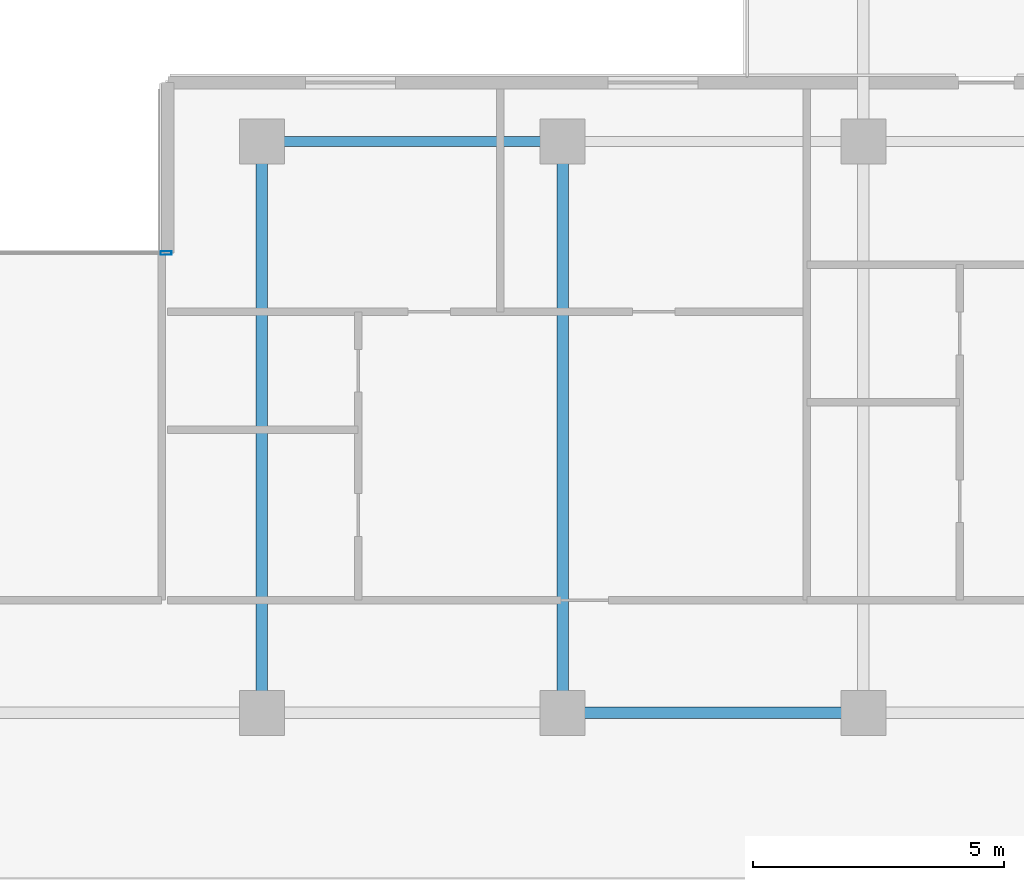
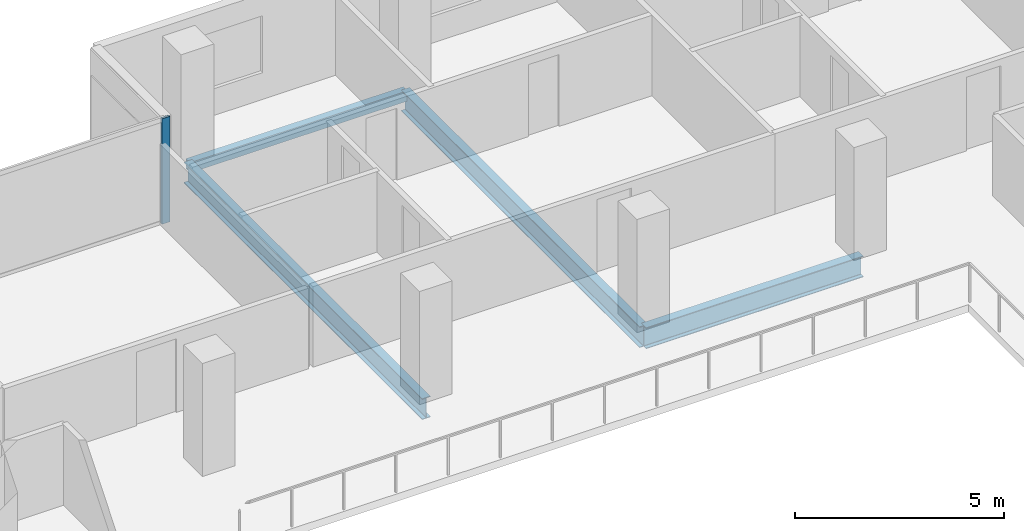
# One storey, part 11 of 29: 4 beams, 1 member, 1 element without a shape of its own.
"""IFC4 building model written with IfcOpenShell, lengths in metres."""

from ifc_helpers import new_model, si_unit, direction, frame, origin, origin_2d, place, context, subcontext, project, spatial, hollow_rectangle, i_section, extrude, material, layer, layer_set, material_profile, profile_set, type_object, element, aggregate, save


model = new_model("IFC4")

# Units and contexts
model_context = context("Model", 3, precision=1e-05, world=origin(), true_north=direction((0.0, 1.0)))
body_context = subcontext(model_context, "Body", "Model", "MODEL_VIEW")
ifc_project = project(units=[si_unit("LENGTHUNIT", "METRE"), si_unit("AREAUNIT", "SQUARE_METRE"), si_unit("VOLUMEUNIT", "CUBIC_METRE"), si_unit("PLANEANGLEUNIT", "RADIAN"), si_unit("MASSUNIT", "GRAM", prefix="KILO")], contexts=[model_context])

# Site, building, storey
site_placement = place(None, origin())
site = spatial("IfcSite", under=ifc_project, at=site_placement, CompositionType="ELEMENT")
building_placement = place(site_placement, origin())
building = spatial("IfcBuilding", under=site, at=building_placement, Name="Tanjung Sevakor Pilgrim Tower", CompositionType="ELEMENT")
storey_placement = place(building_placement, frame((0.0, 0.0, 148.5)))
storey = spatial("IfcBuildingStorey", under=building, at=storey_placement, Name="L41", CompositionType="ELEMENT", Elevation=148.5)

# Beams
ifc_material_1 = material(Name="Steel S355J2", Category="steel")
ifc_material_profile_1 = material_profile(ifc_material_1, i_section(OverallWidth=0.230224609375, OverallDepth=0.6171875, WebThickness=0.01318359375, FlangeThickness=0.022216796875, FilletRadius=0.0126953125, at=origin_2d()))
ifc_profile_set_1 = profile_set([ifc_material_profile_1], Name="Steel S355J2")
beam_type_1 = type_object("IfcBeamType", Name="BM-B-G3-UB_610x229x140", PredefinedType="BEAM", material=ifc_profile_set_1)
beam_1_placement = place(storey_placement, frame((60.0, 42.60009765625, -0.528564453125), z_axis=(1.0, 0.0, 0.0), x_axis=(0.0, 1.0, 0.0)))
element("IfcBeam", 1, at=beam_1_placement, inside=storey, type_object=beam_type_1, Name="L41 Primary Floor Girder MAIN Y426-05", PredefinedType="BEAM", context=body_context, shape_type="SweptSolid", body=[
    extrude(i_section(OverallWidth=0.230224609375, OverallDepth=0.6171875, WebThickness=0.01318359375, FlangeThickness=0.022216796875, FilletRadius=0.0126953125, at=origin_2d()), origin(), (0.0, 0.0, 1.0), 6.0),
])
ifc_material_2 = material(Name="Steel S355J2", Category="steel")
ifc_material_profile_2 = material_profile(ifc_material_2, i_section(OverallWidth=0.22900390625, OverallDepth=0.6123046875, WebThickness=0.011962890625, FlangeThickness=0.01953125, FilletRadius=0.0126953125, at=origin_2d()))
ifc_profile_set_2 = profile_set([ifc_material_profile_2], Name="Steel S355J2")
beam_type_2 = type_object("IfcBeamType", Name="BM-B-G4-UB_610x229x125", PredefinedType="BEAM", material=ifc_profile_set_2)
for number, where, z_axis, x_axis, name in (
    (2, (54.0, 42.60009765625, -0.526123046875), (0.0, 1.0, 0.0), (-1.0, 0.0, 0.0), "L41 MAIN Girder 007"),
    (3, (60.0, 42.60009765625, -0.526123046875), (0.0, 1.0, 0.0), (-1.0, 0.0, 0.0), "L41 MAIN Girder 009"),
):
    element("IfcBeam", number, at=place(storey_placement, frame(where, z_axis=z_axis, x_axis=x_axis)), inside=storey, type_object=beam_type_2, Name=name, PredefinedType="BEAM", context=body_context, shape_type="SweptSolid", body=[
        extrude(i_section(OverallWidth=0.22900390625, OverallDepth=0.6123046875, WebThickness=0.011962890625, FlangeThickness=0.01953125, FilletRadius=0.0126953125, at=origin_2d()), origin(), (0.0, 0.0, 1.0), 11.39990234375),
    ])
ifc_material_3 = material(Name="Steel S355J2", Category="steel")
ifc_material_profile_3 = material_profile(ifc_material_3, hollow_rectangle(XDim=0.199951171875, YDim=0.300048828125, WallThickness=0.012451171875, at=origin_2d()))
ifc_profile_set_3 = profile_set([ifc_material_profile_3], Name="Steel S355J2")
beam_type_3 = type_object("IfcBeamType", Name="BM-B-SP3-RHS_300x200x12.5", PredefinedType="SPANDREL", material=ifc_profile_set_3)
beam_2_placement = place(storey_placement, frame((54.0, 54.0, -0.3701171875), z_axis=(1.0, 0.0, 0.0), x_axis=(0.0, 1.0, 0.0)))
element("IfcBeam", 4, at=beam_2_placement, inside=storey, type_object=beam_type_3, Name="L41 Spandrel MAIN N-08", PredefinedType="SPANDREL", context=body_context, shape_type="SweptSolid", body=[
    extrude(hollow_rectangle(XDim=0.199951171875, YDim=0.300048828125, WallThickness=0.012451171875, at=origin_2d()), origin(), (0.0, 0.0, 1.0), 6.0),
])

# Curtain wall, member
ifc_material_4 = material(Name="Aluminium 6063-T6 and Low-E Glass", Category="aluminium")
ifc_layer = layer(ifc_material_4, 0.179931640625)
ifc_layer_set = layer_set([ifc_layer], Name="CW-SYS-CLEFT")
curtain_wall_type = type_object("IfcCurtainWallType", Name="CW-SYS-CLEFT", PredefinedType="NOTDEFINED", material=ifc_layer_set)
curtain_wall_placement = place(storey_placement, origin())
curtain_wall = element("IfcCurtainWall", 5, at=curtain_wall_placement, inside=storey, type_object=curtain_wall_type, Name="L41 Curtain Wall CW-CLF-L41-10", PredefinedType="NOTDEFINED")
ifc_material_5 = material(Name="Aluminium 6063-T6", Category="aluminium")
ifc_material_profile_4 = material_profile(ifc_material_5, hollow_rectangle(XDim=0.074951171875, YDim=0.219970703125, WallThickness=0.0048828125, at=origin_2d()))
ifc_profile_set_4 = profile_set([ifc_material_profile_4], Name="Aluminium 6063-T6")
member_type = type_object("IfcMemberType", Name="TYPE-CWM-2", PredefinedType="MULLION", material=ifc_profile_set_4)
member_placement = place(storey_placement, frame((52.08740234375, 51.77490234375, 0.0), z_axis=(0.0, 0.0, 1.0), x_axis=(0.0, -1.0, 0.0)))
member = element("IfcMember", 6, at=member_placement, type_object=member_type, Name="CW-CLF mullion 1", PredefinedType="MULLION", context=body_context, shape_type="SweptSolid", body=[
    extrude(hollow_rectangle(XDim=0.074951171875, YDim=0.219970703125, WallThickness=0.0048828125, at=origin_2d()), origin(), (0.0, 0.0, 1.0), 3.080078125),
])
aggregate(curtain_wall, [member])

save(model, "model.ifc")
